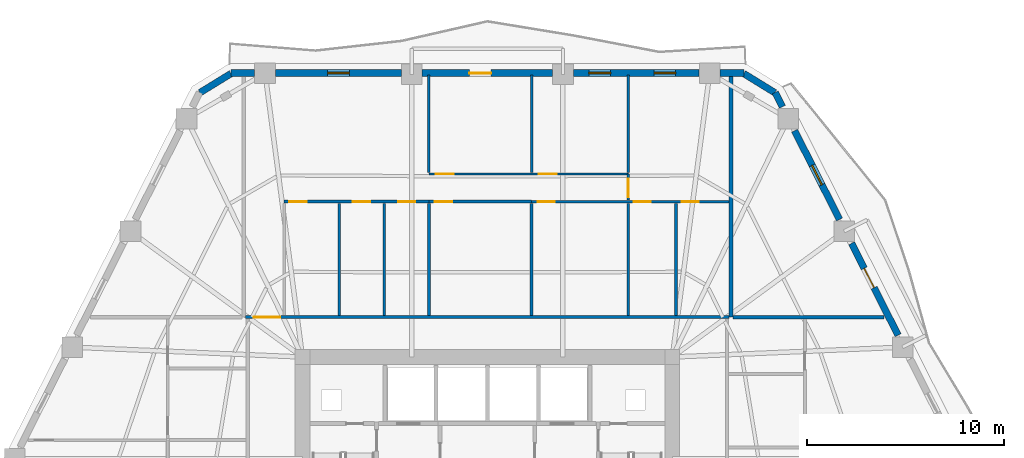
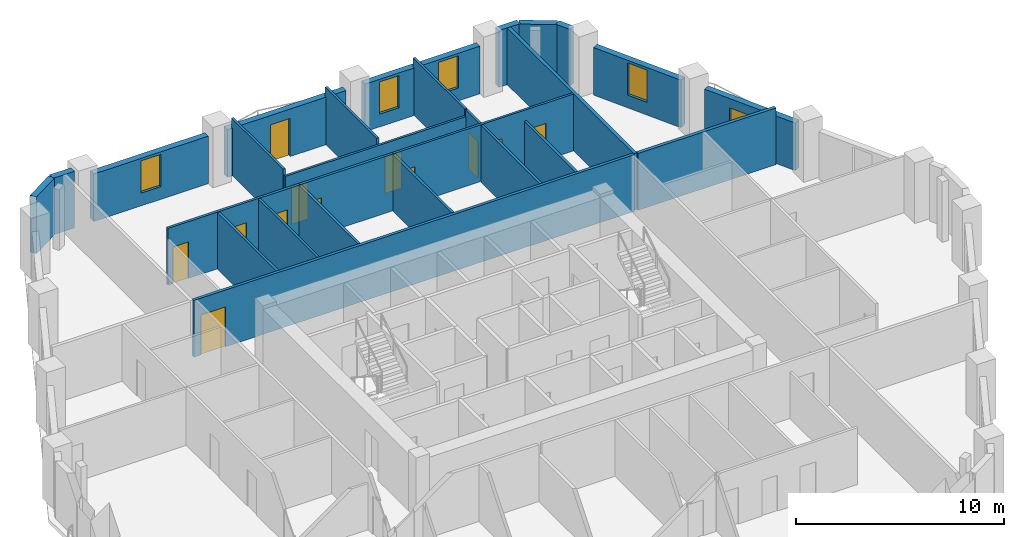
# One storey, part 7 of 11: 27 walls, 13 doors, 4 windows, 17 openings.
"""IFC4 building model written with IfcOpenShell, lengths in metres."""

from ifc_helpers import new_model, si_unit, direction, frame, frame_2d, origin, place, context, subcontext, project, spatial, rectangle, extrude, material, layer, layer_set, type_object, element, fill, save


model = new_model("IFC4")

# Units and contexts
model_context = context("Model", 3, precision=1e-05, world=origin(), true_north=direction((0.0, 1.0)))
body_context = subcontext(model_context, "Body", "Model", "MODEL_VIEW")
ifc_project = project(units=[si_unit("LENGTHUNIT", "METRE"), si_unit("AREAUNIT", "SQUARE_METRE"), si_unit("VOLUMEUNIT", "CUBIC_METRE"), si_unit("PLANEANGLEUNIT", "RADIAN"), si_unit("MASSUNIT", "GRAM", prefix="KILO")], contexts=[model_context])

# Site, building, storey
site_placement = place(None, origin())
site = spatial("IfcSite", under=ifc_project, at=site_placement, CompositionType="ELEMENT")
building_placement = place(site_placement, origin())
building = spatial("IfcBuilding", under=site, at=building_placement, Name="Cinnabar Lancet Tower", CompositionType="ELEMENT")
storey_placement = place(building_placement, frame((0.0, 0.0, 130.35009765625)))
storey = spatial("IfcBuildingStorey", under=building, at=storey_placement, Name="L34", CompositionType="ELEMENT", Elevation=130.35009765625)

# Wall, opening, door
ifc_material_1 = material(Name="Acoustic twin-stud gypsum partition", Category="gypsum")
ifc_layer_1 = layer(ifc_material_1, 0.159912109375)
ifc_layer_set_1 = layer_set([ifc_layer_1], Name="Acoustic twin-stud gypsum partition")
wall_type_1 = type_object("IfcWallType", Name="ARC-WL-CORR-160", PredefinedType="PARTITIONING", material=ifc_layer_set_1)
wall_1_placement = place(storey_placement, frame((20.14501953125, 35.300048828125, 0.0), z_axis=(0.0, 0.0, 1.0), x_axis=(1.0, 0.0, 0.0)))
wall_1 = element("IfcWall", 1, at=wall_1_placement, inside=storey, type_object=wall_type_1, Name="L34 Unit N01 Corridor Wall", PredefinedType="PARTITIONING", context=body_context, shape_type="SweptSolid", body=[
    extrude(rectangle(XDim=24.510009765625, YDim=0.159912109375, at=frame_2d((12.2548828125, 0.0))), origin(), (0.0, 0.0, 1.0), 3.33984375),
])
opening_1_placement = place(wall_1_placement, frame((0.405029296875, 0.0, 0.0)))
opening_1 = element("IfcOpeningElement", 2, at=opening_1_placement, cuts=wall_1, Name="Opening UD-02", PredefinedType="OPENING", context=body_context, shape_type="SweptSolid", body=[
    extrude(rectangle(XDim=1.35009765625, YDim=2.35009765625, at=frame_2d((0.675048828125, 1.175048828125))), frame((0.0, 0.08984375, 0.0), z_axis=(0.0, -1.0, 0.0), x_axis=(1.0, 0.0, 0.0)), (0.0, 0.0, 1.0), 0.179931640625),
])
ifc_material_2 = material(Name="Double-leaf solid timber penthouse entrance door", Category="wood")
door_type_1 = type_object("IfcDoorType", Name="ARC-DR-UNIT-PH", OperationType="NOTDEFINED", PredefinedType="DOOR", material=ifc_material_2)
door_1_placement = place(opening_1_placement, origin())
door_1 = element("IfcDoor", 3, at=door_1_placement, inside=storey, type_object=door_type_1, Name="DR-L34-N01-ENT", OperationType="SINGLE_SWING_LEFT", OverallHeight=2.35009765625, OverallWidth=1.35009765625, PredefinedType="DOOR", context=body_context, shape_type="SweptSolid", body=[
    extrude(rectangle(XDim=1.35009765625, YDim=2.35009765625, at=frame_2d((0.675048828125, 1.175048828125))), frame((0.0, 0.02490234375, 0.0), z_axis=(0.0, -1.0, 0.0), x_axis=(1.0, 0.0, 0.0)), (0.0, 0.0, 1.0), 0.050048828125),
])
fill(opening_1, door_1)

# Walls
ifc_material_3 = material(Name="Fire-rated twin-frame acoustic drywall", Category="gypsum")
ifc_layer_2 = layer(ifc_material_3, 0.179931640625)
ifc_layer_set_2 = layer_set([ifc_layer_2], Name="Fire-rated twin-frame acoustic drywall")
wall_type_2 = type_object("IfcWallType", Name="ARC-WL-PARTY-180", PredefinedType="PARTITIONING", material=ifc_layer_set_2)
wall_2_placement = place(storey_placement, frame((44.75, 35.300048828125, 0.0), z_axis=(0.0, 0.0, 1.0), x_axis=(0.0, 1.0, 0.0)))
element("IfcWall", 4, at=wall_2_placement, inside=storey, type_object=wall_type_2, Name="PW-L34-NPTY-448", PredefinedType="PARTITIONING", context=body_context, shape_type="SweptSolid", body=[
    extrude(rectangle(XDim=12.195068359375, YDim=0.179931640625, at=frame_2d((6.09765625, 0.0))), origin(), (0.0, 0.0, 1.0), 3.33984375),
])
wall_3_placement = place(storey_placement, frame((44.844970703125, 35.300048828125, 0.0), z_axis=(0.0, 0.0, 1.0), x_axis=(1.0, 0.0, 0.0)))
element("IfcWall", 5, at=wall_3_placement, inside=storey, type_object=wall_type_2, Name="PW-L34-ENB", PredefinedType="PARTITIONING", context=body_context, shape_type="SweptSolid", body=[
    extrude(rectangle(XDim=7.6689453125, YDim=0.179931640625, at=frame_2d((3.83447265625, 0.0))), origin(), (0.0, 0.0, 1.0), 3.33984375),
])

# Wall, openings, doors
ifc_material_4 = material(Name="Gypsum plasterboard stud partition", Category="gypsum")
ifc_layer_3 = layer(ifc_material_4, 0.125)
ifc_layer_set_3 = layer_set([ifc_layer_3], Name="Gypsum plasterboard stud partition")
wall_type_3 = type_object("IfcWallType", Name="ARC-WL-UNIT-125", PredefinedType="PARTITIONING", material=ifc_layer_set_3)
wall_4_placement = place(storey_placement, frame((34.64306640625, 41.154052734375, 0.0), z_axis=(0.0, 0.0, 1.0), x_axis=(1.0, 0.0, 0.0)))
wall_4 = element("IfcWall", 6, at=wall_4_placement, inside=storey, type_object=wall_type_3, Name="UW-L34-N01-SP2", PredefinedType="PARTITIONING", context=body_context, shape_type="SweptSolid", body=[
    extrude(rectangle(XDim=10.011962890625, YDim=0.125, at=frame_2d((5.005859375, 0.0))), origin(), (0.0, 0.0, 1.0), 3.33984375),
])
opening_2_placement = place(wall_4_placement, frame((5.179931640625, 0.0, 0.0)))
opening_2 = element("IfcOpeningElement", 7, at=opening_2_placement, cuts=wall_4, Name="Opening BD-01", PredefinedType="OPENING", context=body_context, shape_type="SweptSolid", body=[
    extrude(rectangle(XDim=0.860107421875, YDim=2.10009765625, at=frame_2d((0.43017578125, 1.050048828125))), frame((0.0, 0.072509765625, 0.0), z_axis=(0.0, -1.0, 0.0), x_axis=(1.0, 0.0, 0.0)), (0.0, 0.0, 1.0), 0.14501953125),
])
opening_3_placement = place(wall_4_placement, frame((7.60400390625, 0.0, 0.0)))
opening_3 = element("IfcOpeningElement", 8, at=opening_3_placement, cuts=wall_4, Name="Opening RD-02", PredefinedType="OPENING", context=body_context, shape_type="SweptSolid", body=[
    extrude(rectangle(XDim=0.8798828125, YDim=2.14990234375, at=frame_2d((0.43994140625, 1.074951171875))), frame((0.0, 0.072509765625, 0.0), z_axis=(0.0, -1.0, 0.0), x_axis=(1.0, 0.0, 0.0)), (0.0, 0.0, 1.0), 0.14501953125),
])
opening_4_placement = place(wall_4_placement, frame((0.300048828125, 0.0, 0.0)))
opening_4 = element("IfcOpeningElement", 9, at=opening_4_placement, cuts=wall_4, Name="Opening RD-02", PredefinedType="OPENING", context=body_context, shape_type="SweptSolid", body=[
    extrude(rectangle(XDim=0.8798828125, YDim=2.14990234375, at=frame_2d((0.43994140625, 1.074951171875))), frame((0.0, 0.072509765625, 0.0), z_axis=(0.0, -1.0, 0.0), x_axis=(1.0, 0.0, 0.0)), (0.0, 0.0, 1.0), 0.14501953125),
])
ifc_material_5 = material(Name="Moisture-resistant timber bathroom door", Category="wood")
door_type_2 = type_object("IfcDoorType", Name="ARC-DR-BATH", OperationType="NOTDEFINED", PredefinedType="DOOR", material=ifc_material_5)
door_2_placement = place(opening_2_placement, origin())
door_2 = element("IfcDoor", 10, at=door_2_placement, inside=storey, type_object=door_type_2, Name="DR-L34-N01-ENS", OperationType="SINGLE_SWING_RIGHT", OverallHeight=2.10009765625, OverallWidth=0.860107421875, PredefinedType="DOOR", context=body_context, shape_type="SweptSolid", body=[
    extrude(rectangle(XDim=0.860107421875, YDim=2.10009765625, at=frame_2d((0.43017578125, 1.050048828125))), frame((0.0, 0.02490234375, 0.0), z_axis=(0.0, -1.0, 0.0), x_axis=(1.0, 0.0, 0.0)), (0.0, 0.0, 1.0), 0.050048828125),
])
fill(opening_2, door_2)
ifc_material_6 = material(Name="Engineered timber study door", Category="wood")
door_type_3 = type_object("IfcDoorType", Name="ARC-DR-STUDY", OperationType="NOTDEFINED", PredefinedType="DOOR", material=ifc_material_6)
door_3_placement = place(opening_3_placement, origin())
door_3 = element("IfcDoor", 11, at=door_3_placement, inside=storey, type_object=door_type_3, Name="DR-L34-N01-ENS-WDR", OperationType="SINGLE_SWING_LEFT", OverallHeight=2.14990234375, OverallWidth=0.8798828125, PredefinedType="DOOR", context=body_context, shape_type="SweptSolid", body=[
    extrude(rectangle(XDim=0.8798828125, YDim=2.14990234375, at=frame_2d((0.43994140625, 1.074951171875))), frame((0.0, 0.02490234375, 0.0), z_axis=(0.0, -1.0, 0.0), x_axis=(1.0, 0.0, 0.0)), (0.0, 0.0, 1.0), 0.050048828125),
])
fill(opening_3, door_3)
door_4_placement = place(opening_4_placement, origin())
door_4 = element("IfcDoor", 12, at=door_4_placement, inside=storey, type_object=door_type_3, Name="DR-L34-N01-DRS", OperationType="SINGLE_SWING_LEFT", OverallHeight=2.14990234375, OverallWidth=0.8798828125, PredefinedType="DOOR", context=body_context, shape_type="SweptSolid", body=[
    extrude(rectangle(XDim=0.8798828125, YDim=2.14990234375, at=frame_2d((0.43994140625, 1.074951171875))), frame((0.0, 0.02490234375, 0.0), z_axis=(0.0, -1.0, 0.0), x_axis=(1.0, 0.0, 0.0)), (0.0, 0.0, 1.0), 0.050048828125),
])
fill(opening_4, door_4)

# Walls
wall_5_placement = place(storey_placement, frame((27.162109375, 35.385009765625, 0.0), z_axis=(0.0, 0.0, 1.0), x_axis=(0.0, 1.0, 0.0)))
element("IfcWall", 13, at=wall_5_placement, inside=storey, type_object=wall_type_3, Name="UW-L34-N01-STD", PredefinedType="PARTITIONING", context=body_context, shape_type="SweptSolid", body=[
    extrude(rectangle(XDim=5.6640625, YDim=0.125, at=frame_2d((2.83203125, 0.0))), origin(), (0.0, 0.0, 1.0), 3.33984375),
])
wall_6_placement = place(storey_placement, frame((29.43603515625, 42.618896484375, 0.0), z_axis=(0.0, 0.0, 1.0), x_axis=(0.0, 1.0, 0.0)))
element("IfcWall", 14, at=wall_6_placement, inside=storey, type_object=wall_type_3, Name="UW-L34-N01-BD2W", PredefinedType="PARTITIONING", context=body_context, shape_type="SweptSolid", body=[
    extrude(rectangle(XDim=4.966064453125, YDim=0.125, at=frame_2d((2.48291015625, 0.0))), origin(), (0.0, 0.0, 1.0), 3.33984375),
])

# Wall, openings, doors
wall_7_placement = place(storey_placement, frame((29.43603515625, 42.553955078125, 0.0), z_axis=(0.0, 0.0, 1.0), x_axis=(1.0, 0.0, 0.0)))
wall_7 = element("IfcWall", 15, at=wall_7_placement, inside=storey, type_object=wall_type_3, Name="UW-L34-N01-HLN", PredefinedType="PARTITIONING", context=body_context, shape_type="SweptSolid", body=[
    extrude(rectangle(XDim=10.10693359375, YDim=0.125, at=frame_2d((5.053466796875, 0.0))), origin(), (0.0, 0.0, 1.0), 2.974853515625),
])
opening_5_placement = place(wall_7_placement, frame((0.35009765625, 0.0, 0.0)))
opening_5 = element("IfcOpeningElement", 16, at=opening_5_placement, cuts=wall_7, Name="Opening RD-01", PredefinedType="OPENING", context=body_context, shape_type="SweptSolid", body=[
    extrude(rectangle(XDim=0.919921875, YDim=2.14990234375, at=frame_2d((0.4599609375, 1.074951171875))), frame((0.0, 0.072509765625, 0.0), z_axis=(0.0, -1.0, 0.0), x_axis=(1.0, 0.0, 0.0)), (0.0, 0.0, 1.0), 0.14501953125),
])
opening_6_placement = place(wall_7_placement, frame((5.556884765625, 0.0, 0.0)))
opening_6 = element("IfcOpeningElement", 17, at=opening_6_placement, cuts=wall_7, Name="Opening RD-01", PredefinedType="OPENING", context=body_context, shape_type="SweptSolid", body=[
    extrude(rectangle(XDim=0.919921875, YDim=2.14990234375, at=frame_2d((0.4599609375, 1.074951171875))), frame((0.0, 0.072509765625, 0.0), z_axis=(0.0, -1.0, 0.0), x_axis=(1.0, 0.0, 0.0)), (0.0, 0.0, 1.0), 0.14501953125),
])
ifc_material_7 = material(Name="Engineered timber bedroom door", Category="wood")
door_type_4 = type_object("IfcDoorType", Name="ARC-DR-ROOM", OperationType="NOTDEFINED", PredefinedType="DOOR", material=ifc_material_7)
door_5_placement = place(opening_5_placement, origin())
door_5 = element("IfcDoor", 18, at=door_5_placement, inside=storey, type_object=door_type_4, Name="DR-L34-N01-BD2", OperationType="SINGLE_SWING_RIGHT", OverallHeight=2.14990234375, OverallWidth=0.919921875, PredefinedType="DOOR", context=body_context, shape_type="SweptSolid", body=[
    extrude(rectangle(XDim=0.919921875, YDim=2.14990234375, at=frame_2d((0.4599609375, 1.074951171875))), frame((0.0, 0.02490234375, 0.0), z_axis=(0.0, -1.0, 0.0), x_axis=(1.0, 0.0, 0.0)), (0.0, 0.0, 1.0), 0.050048828125),
])
fill(opening_5, door_5)
door_6_placement = place(opening_6_placement, origin())
door_6 = element("IfcDoor", 19, at=door_6_placement, inside=storey, type_object=door_type_4, Name="DR-L34-N01-BD3", OperationType="SINGLE_SWING_LEFT", OverallHeight=2.14990234375, OverallWidth=0.919921875, PredefinedType="DOOR", context=body_context, shape_type="SweptSolid", body=[
    extrude(rectangle(XDim=0.919921875, YDim=2.14990234375, at=frame_2d((0.4599609375, 1.074951171875))), frame((0.0, 0.02490234375, 0.0), z_axis=(0.0, -1.0, 0.0), x_axis=(1.0, 0.0, 0.0)), (0.0, 0.0, 1.0), 0.050048828125),
])
fill(opening_6, door_6)

# Wall, opening, door
wall_8_placement = place(storey_placement, frame((39.54296875, 41.22412109375, 0.0), z_axis=(0.0, 0.0, 1.0), x_axis=(0.0, 1.0, 0.0)))
wall_8 = element("IfcWall", 20, at=wall_8_placement, inside=storey, type_object=wall_type_3, Name="UW-L34-N01-MBE", PredefinedType="PARTITIONING", context=body_context, shape_type="SweptSolid", body=[
    extrude(rectangle(XDim=1.329833984375, YDim=0.125, at=frame_2d((0.6650390625, 0.0))), origin(), (0.0, 0.0, 1.0), 3.33984375),
])
opening_7_placement = place(wall_8_placement, frame((0.159912109375, 0.0, 0.0)))
opening_7 = element("IfcOpeningElement", 21, at=opening_7_placement, cuts=wall_8, Name="Opening RD-01", PredefinedType="OPENING", context=body_context, shape_type="SweptSolid", body=[
    extrude(rectangle(XDim=0.919921875, YDim=2.14990234375, at=frame_2d((0.4599609375, 1.074951171875))), frame((0.0, 0.072509765625, 0.0), z_axis=(0.0, -1.0, 0.0), x_axis=(1.0, 0.0, 0.0)), (0.0, 0.0, 1.0), 0.14501953125),
])
door_7_placement = place(opening_7_placement, origin())
door_7 = element("IfcDoor", 22, at=door_7_placement, inside=storey, type_object=door_type_4, Name="DR-L34-N01-MBD", OperationType="SINGLE_SWING_RIGHT", OverallHeight=2.14990234375, OverallWidth=0.919921875, PredefinedType="DOOR", context=body_context, shape_type="SweptSolid", body=[
    extrude(rectangle(XDim=0.919921875, YDim=2.14990234375, at=frame_2d((0.4599609375, 1.074951171875))), frame((0.0, 0.02490234375, 0.0), z_axis=(0.0, -1.0, 0.0), x_axis=(1.0, 0.0, 0.0)), (0.0, 0.0, 1.0), 0.050048828125),
])
fill(opening_7, door_7)

# Walls
for number, where, z_axis, x_axis, name in (
    (23, (34.64306640625, 42.618896484375, 0.0), (0.0, 0.0, 1.0), (0.0, 1.0, 0.0), "UW-L34-N01-MB2W"),
    (24, (39.54296875, 42.618896484375, 0.0), (0.0, 0.0, 1.0), (0.0, 1.0, 0.0), "UW-L34-N01-B23W"),
):
    element("IfcWall", number, at=place(storey_placement, frame(where, z_axis=z_axis, x_axis=x_axis)), inside=storey, type_object=wall_type_3, Name=name, PredefinedType="PARTITIONING", context=body_context, shape_type="SweptSolid", body=[
        extrude(rectangle(XDim=4.966064453125, YDim=0.125, at=frame_2d((2.48291015625, 0.0))), origin(), (0.0, 0.0, 1.0), 3.33984375),
    ])

# Wall, openings, doors
ifc_material_8 = material(Name="Moisture-resistant cement-board plumbing wall", Category="masonry")
ifc_layer_4 = layer(ifc_material_8, 0.139892578125)
ifc_layer_set_4 = layer_set([ifc_layer_4], Name="Moisture-resistant cement-board plumbing wall")
wall_type_4 = type_object("IfcWallType", Name="ARC-WL-WET-140", PredefinedType="PLUMBINGWALL", material=ifc_layer_set_4)
wall_9_placement = place(storey_placement, frame((22.10009765625, 41.154052734375, 0.0), z_axis=(0.0, 0.0, 1.0), x_axis=(1.0, 0.0, 0.0)))
wall_9 = element("IfcWall", 25, at=wall_9_placement, inside=storey, type_object=wall_type_4, Name="UW-L34-N01-SPL", PredefinedType="PLUMBINGWALL", context=body_context, shape_type="SweptSolid", body=[
    extrude(rectangle(XDim=7.3359375, YDim=0.139892578125, at=frame_2d((3.66796875, 0.0))), origin(), (0.0, 0.0, 1.0), 3.33984375),
])
opening_8_placement = place(wall_9_placement, frame((5.77392578125, 0.0, 0.0)))
opening_8 = element("IfcOpeningElement", 26, at=opening_8_placement, cuts=wall_9, Name="Opening BD-01", PredefinedType="OPENING", context=body_context, shape_type="SweptSolid", body=[
    extrude(rectangle(XDim=0.860107421875, YDim=2.10009765625, at=frame_2d((0.43017578125, 1.050048828125))), frame((0.0, 0.079833984375, 0.0), z_axis=(0.0, -1.0, 0.0), x_axis=(1.0, 0.0, 0.0)), (0.0, 0.0, 1.0), 0.159912109375),
])
opening_9_placement = place(wall_9_placement, frame((0.260009765625, 0.0, 0.0)))
opening_9 = element("IfcOpeningElement", 27, at=opening_9_placement, cuts=wall_9, Name="Opening RD-02", PredefinedType="OPENING", context=body_context, shape_type="SweptSolid", body=[
    extrude(rectangle(XDim=0.8798828125, YDim=2.14990234375, at=frame_2d((0.43994140625, 1.074951171875))), frame((0.0, 0.079833984375, 0.0), z_axis=(0.0, -1.0, 0.0), x_axis=(1.0, 0.0, 0.0)), (0.0, 0.0, 1.0), 0.159912109375),
])
opening_10_placement = place(wall_9_placement, frame((3.485107421875, 0.0, 0.0)))
opening_10 = element("IfcOpeningElement", 28, at=opening_10_placement, cuts=wall_9, Name="Opening RD-02", PredefinedType="OPENING", context=body_context, shape_type="SweptSolid", body=[
    extrude(rectangle(XDim=0.8798828125, YDim=2.14990234375, at=frame_2d((0.43994140625, 1.074951171875))), frame((0.0, 0.079833984375, 0.0), z_axis=(0.0, -1.0, 0.0), x_axis=(1.0, 0.0, 0.0)), (0.0, 0.0, 1.0), 0.159912109375),
])
door_8_placement = place(opening_8_placement, origin())
door_8 = element("IfcDoor", 29, at=door_8_placement, inside=storey, type_object=door_type_2, Name="DR-L34-N01-BTH", OperationType="SINGLE_SWING_RIGHT", OverallHeight=2.10009765625, OverallWidth=0.860107421875, PredefinedType="DOOR", context=body_context, shape_type="SweptSolid", body=[
    extrude(rectangle(XDim=0.860107421875, YDim=2.10009765625, at=frame_2d((0.43017578125, 1.050048828125))), frame((0.0, 0.02490234375, 0.0), z_axis=(0.0, -1.0, 0.0), x_axis=(1.0, 0.0, 0.0)), (0.0, 0.0, 1.0), 0.050048828125),
])
fill(opening_8, door_8)
door_9_placement = place(opening_9_placement, origin())
door_9 = element("IfcDoor", 30, at=door_9_placement, inside=storey, type_object=door_type_3, Name="DR-L34-N01-KIT", OperationType="SINGLE_SWING_RIGHT", OverallHeight=2.14990234375, OverallWidth=0.8798828125, PredefinedType="DOOR", context=body_context, shape_type="SweptSolid", body=[
    extrude(rectangle(XDim=0.8798828125, YDim=2.14990234375, at=frame_2d((0.43994140625, 1.074951171875))), frame((0.0, 0.02490234375, 0.0), z_axis=(0.0, -1.0, 0.0), x_axis=(1.0, 0.0, 0.0)), (0.0, 0.0, 1.0), 0.050048828125),
])
fill(opening_9, door_9)
door_10_placement = place(opening_10_placement, origin())
door_10 = element("IfcDoor", 31, at=door_10_placement, inside=storey, type_object=door_type_3, Name="DR-L34-N01-STD", OperationType="SINGLE_SWING_LEFT", OverallHeight=2.14990234375, OverallWidth=0.8798828125, PredefinedType="DOOR", context=body_context, shape_type="SweptSolid", body=[
    extrude(rectangle(XDim=0.8798828125, YDim=2.14990234375, at=frame_2d((0.43994140625, 1.074951171875))), frame((0.0, 0.02490234375, 0.0), z_axis=(0.0, -1.0, 0.0), x_axis=(1.0, 0.0, 0.0)), (0.0, 0.0, 1.0), 0.050048828125),
])
fill(opening_10, door_10)

# Wall, opening, door
wall_10_placement = place(storey_placement, frame((29.43603515625, 41.154052734375, 0.0), z_axis=(0.0, 0.0, 1.0), x_axis=(1.0, 0.0, 0.0)))
wall_10 = element("IfcWall", 32, at=wall_10_placement, inside=storey, type_object=wall_type_4, Name="UW-L34-N01-SPM", PredefinedType="PLUMBINGWALL", context=body_context, shape_type="SweptSolid", body=[
    extrude(rectangle(XDim=5.20703125, YDim=0.139892578125, at=frame_2d((2.603515625, 0.0))), origin(), (0.0, 0.0, 1.0), 3.33984375),
])
opening_11_placement = place(wall_10_placement, frame((0.300048828125, 0.0, 0.0)))
opening_11 = element("IfcOpeningElement", 33, at=opening_11_placement, cuts=wall_10, Name="Opening RD-02", PredefinedType="OPENING", context=body_context, shape_type="SweptSolid", body=[
    extrude(rectangle(XDim=0.8798828125, YDim=2.14990234375, at=frame_2d((0.43994140625, 1.074951171875))), frame((0.0, 0.079833984375, 0.0), z_axis=(0.0, -1.0, 0.0), x_axis=(1.0, 0.0, 0.0)), (0.0, 0.0, 1.0), 0.159912109375),
])
door_11_placement = place(opening_11_placement, origin())
door_11 = element("IfcDoor", 34, at=door_11_placement, inside=storey, type_object=door_type_3, Name="DR-L34-N01-UTL", OperationType="SINGLE_SWING_LEFT", OverallHeight=2.14990234375, OverallWidth=0.8798828125, PredefinedType="DOOR", context=body_context, shape_type="SweptSolid", body=[
    extrude(rectangle(XDim=0.8798828125, YDim=2.14990234375, at=frame_2d((0.43994140625, 1.074951171875))), frame((0.0, 0.02490234375, 0.0), z_axis=(0.0, -1.0, 0.0), x_axis=(1.0, 0.0, 0.0)), (0.0, 0.0, 1.0), 0.050048828125),
])
fill(opening_11, door_11)

# Walls
for number, where, z_axis, x_axis, name in (
    (35, (24.887939453125, 35.385009765625, 0.0), (0.0, 0.0, 1.0), (0.0, 1.0, 0.0), "UW-L34-N01-KDV"),
    (36, (29.43603515625, 35.385009765625, 0.0), (0.0, 0.0, 1.0), (0.0, 1.0, 0.0), "UW-L34-N01-ENSW"),
    (37, (34.64306640625, 35.385009765625, 0.0), (0.0, 0.0, 1.0), (0.0, 1.0, 0.0), "UW-L34-N01-ENSE"),
    (38, (39.54296875, 35.385009765625, 0.0), (0.0, 0.0, 1.0), (0.0, 1.0, 0.0), "UW-L34-N01-UT3"),
):
    element("IfcWall", number, at=place(storey_placement, frame(where, z_axis=z_axis, x_axis=x_axis)), inside=storey, type_object=wall_type_4, Name=name, PredefinedType="PLUMBINGWALL", context=body_context, shape_type="SweptSolid", body=[
        extrude(rectangle(XDim=5.6640625, YDim=0.139892578125, at=frame_2d((2.83203125, 0.0))), origin(), (0.0, 0.0, 1.0), 3.33984375),
    ])
wall_11_placement = place(storey_placement, frame((41.967041015625, 35.385009765625, 0.0), z_axis=(0.0, 0.0, 1.0), x_axis=(0.0, 1.0, 0.0)))
element("IfcWall", 39, at=wall_11_placement, inside=storey, type_object=wall_type_4, Name="UW-L34-N01-ENS-WDV", PredefinedType="PLUMBINGWALL", context=body_context, shape_type="SweptSolid", body=[
    extrude(rectangle(XDim=5.68408203125, YDim=0.139892578125, at=frame_2d((2.842041015625, 0.0))), origin(), (0.0, 0.0, 1.0), 2.721923828125),
])
ifc_material_9 = material(Name="Cinnabar red clay brick", Category="masonry")
ifc_layer_5 = layer(ifc_material_9, 0.340087890625)
ifc_layer_set_5 = layer_set([ifc_layer_5], Name="Cinnabar red clay brick")
wall_type_5 = type_object("IfcWallType", Name="ENV-WL-BRK-RED-340", PredefinedType="STANDARD", material=ifc_layer_set_5)
for number, where, z_axis, x_axis, name in (
    (40, (46.970947265625, 46.677001953125, 0.0), (0.0, 0.0, 1.0), (-0.851798915137, 0.523868884523, 0.0), "L34 Chamfered Corner Brick Pier 4.1"),
    (41, (19.403076171875, 47.64501953125, 0.0), (0.0, 0.0, 1.0), (-0.851798915137, -0.523868884523, 0.0), "L34 Chamfered Corner Brick Pier 5.1"),
):
    element("IfcWall", number, at=place(storey_placement, frame(where, z_axis=z_axis, x_axis=x_axis)), inside=storey, type_object=wall_type_5, Name=name, PredefinedType="STANDARD", context=body_context, shape_type="SweptSolid", body=[
        extrude(rectangle(XDim=1.847900390625, YDim=0.340087890625, at=frame_2d((0.923828125, 0.0))), origin(), (0.0, 0.0, 1.0), 3.33984375),
    ])

# Wall, opening, door
wall_12_placement = place(storey_placement, frame((53.219970703125, 34.382080078125, 0.0), z_axis=(0.0, 0.0, 1.0), x_axis=(-0.451567731634, 0.892236842855, 0.0)))
wall_12 = element("IfcWall", 42, at=wall_12_placement, inside=storey, type_object=wall_type_5, Name="L34 Face 3 Masonry Bay Wall 3", PredefinedType="STANDARD", context=body_context, shape_type="SweptSolid", body=[
    extrude(rectangle(XDim=5.219482421875, YDim=0.340087890625, at=frame_2d((2.60986328125, 0.0))), origin(), (0.0, 0.0, 1.0), 2.796875),
])
opening_12_placement = place(wall_12_placement, frame((2.698974609375, 0.0, 0.0)))
opening_12 = element("IfcOpeningElement", 43, at=opening_12_placement, cuts=wall_12, Name="Opening TD-01", PredefinedType="OPENING", context=body_context, shape_type="SweptSolid", body=[
    extrude(rectangle(XDim=1.10009765625, YDim=2.25, at=frame_2d((0.550048828125, 1.125))), frame((0.0, 0.179931640625, 0.0), z_axis=(0.0, -1.0, 0.0), x_axis=(1.0, 0.0, 0.0)), (0.0, 0.0, 1.0), 0.360107421875),
])
ifc_material_10 = material(Name="Thermally broken low-E glazed balcony terrace door", Category="wood")
door_type_5 = type_object("IfcDoorType", Name="ARC-DR-BALC", OperationType="NOTDEFINED", PredefinedType="DOOR", material=ifc_material_10)
door_12_placement = place(opening_12_placement, origin())
door_12 = element("IfcDoor", 44, at=door_12_placement, inside=storey, type_object=door_type_5, Name="L34 Face 3 Glazed Terrace Door", OperationType="SINGLE_SWING_RIGHT", OverallHeight=2.25, OverallWidth=1.10009765625, PredefinedType="DOOR", context=body_context, shape_type="SweptSolid", body=[
    extrude(rectangle(XDim=1.10009765625, YDim=2.25, at=frame_2d((0.550048828125, 1.125))), frame((0.0, 0.02490234375, 0.0), z_axis=(0.0, -1.0, 0.0), x_axis=(1.0, 0.0, 0.0)), (0.0, 0.0, 1.0), 0.050048828125),
])
fill(opening_12, door_12)

# Wall, opening, window
wall_13_placement = place(storey_placement, frame((50.2509765625, 40.2509765625, 0.0), z_axis=(0.0, 0.0, 1.0), x_axis=(-0.451548465867, 0.892246593142, 0.0)))
wall_13 = element("IfcWall", 45, at=wall_13_placement, inside=storey, type_object=wall_type_5, Name="L34 Face 3 Masonry Bay Wall 4", PredefinedType="STANDARD", context=body_context, shape_type="SweptSolid", body=[
    extrude(rectangle(XDim=5.040283203125, YDim=0.340087890625, at=frame_2d((2.52001953125, 0.0))), origin(), (0.0, 0.0, 1.0), 2.796875),
])
opening_13_placement = place(wall_13_placement, frame((1.969970703125, 0.0, 0.75)))
opening_13 = element("IfcOpeningElement", 46, at=opening_13_placement, cuts=wall_13, Name="Opening WN-04", PredefinedType="OPENING", context=body_context, shape_type="SweptSolid", body=[
    extrude(rectangle(XDim=1.10009765625, YDim=1.89697265625, at=frame_2d((0.550048828125, 0.948486328125))), frame((0.0, 0.179931640625, 0.0), z_axis=(0.0, -1.0, 0.0), x_axis=(1.0, 0.0, 0.0)), (0.0, 0.0, 1.0), 0.360107421875),
])
ifc_material_11 = material(Name="Thermally broken bronze-anodized aluminium tall lancet window", Category="aluminium")
window_type = type_object("IfcWindowType", Name="ENV-WN-LANCET-1100", PartitioningType="SINGLE_PANEL", PredefinedType="WINDOW", material=ifc_material_11)
window_1_placement = place(opening_13_placement, origin())
window_1 = element("IfcWindow", 47, at=window_1_placement, inside=storey, type_object=window_type, Name="L34 Face 3 Gothic Lancet Window 4", OverallHeight=1.89697265625, OverallWidth=1.10009765625, PartitioningType="SINGLE_PANEL", PredefinedType="WINDOW", context=body_context, shape_type="SweptSolid", body=[
    extrude(rectangle(XDim=1.10009765625, YDim=1.89697265625, at=frame_2d((0.550048828125, 0.948486328125))), frame((0.0, 0.030029296875, 0.0), z_axis=(0.0, -1.0, 0.0), x_axis=(1.0, 0.0, 0.0)), (0.0, 0.0, 1.0), 0.06005859375),
])
fill(opening_13, window_1)

# Walls
wall_14_placement = place(storey_placement, frame((47.362060546875, 45.9599609375, 0.0), z_axis=(0.0, 0.0, 1.0), x_axis=(-0.45160540153, 0.89221777684, 0.0)))
element("IfcWall", 48, at=wall_14_placement, inside=storey, type_object=wall_type_5, Name="L34 Face 3 Masonry Bay Wall 5", PredefinedType="STANDARD", context=body_context, shape_type="SweptSolid", body=[
    extrude(rectangle(XDim=0.82177734375, YDim=0.340087890625, at=frame_2d((0.410888671875, 0.0))), origin(), (0.0, 0.0, 1.0), 3.33984375),
])
wall_15_placement = place(storey_placement, frame((45.402099609375, 47.669921875, 0.0), z_axis=(0.0, 0.0, 1.0), x_axis=(-1.0, 0.0, 0.0)))
element("IfcWall", 49, at=wall_15_placement, inside=storey, type_object=wall_type_5, Name="L34 Face 4 Masonry Bay Wall 1", PredefinedType="STANDARD", context=body_context, shape_type="SweptSolid", body=[
    extrude(rectangle(XDim=1.2041015625, YDim=0.340087890625, at=frame_2d((0.60205078125, 0.0))), origin(), (0.0, 0.0, 1.0), 3.33984375),
])

# Wall, openings, windows
wall_16_placement = place(storey_placement, frame((43.139892578125, 47.669921875, 0.0), z_axis=(0.0, 0.0, 1.0), x_axis=(-1.0, 0.0, 0.0)))
wall_16 = element("IfcWall", 50, at=wall_16_placement, inside=storey, type_object=wall_type_5, Name="L34 Face 4 Masonry Bay Wall 2", PredefinedType="STANDARD", context=body_context, shape_type="SweptSolid", body=[
    extrude(rectangle(XDim=6.37890625, YDim=0.340087890625, at=frame_2d((3.189453125, 0.0))), origin(), (0.0, 0.0, 1.0), 2.796875),
])
opening_14_placement = place(wall_16_placement, frame((1.19189453125, 0.0, 0.75)))
opening_14 = element("IfcOpeningElement", 51, at=opening_14_placement, cuts=wall_16, Name="Opening WN-04", PredefinedType="OPENING", context=body_context, shape_type="SweptSolid", body=[
    extrude(rectangle(XDim=1.10009765625, YDim=1.89697265625, at=frame_2d((0.550048828125, 0.948486328125))), frame((0.0, 0.179931640625, 0.0), z_axis=(0.0, -1.0, 0.0), x_axis=(1.0, 0.0, 0.0)), (0.0, 0.0, 1.0), 0.360107421875),
])
opening_15_placement = place(wall_16_placement, frame((4.493896484375, 0.0, 0.75)))
opening_15 = element("IfcOpeningElement", 52, at=opening_15_placement, cuts=wall_16, Name="Opening WN-04", PredefinedType="OPENING", context=body_context, shape_type="SweptSolid", body=[
    extrude(rectangle(XDim=1.10009765625, YDim=1.89697265625, at=frame_2d((0.550048828125, 0.948486328125))), frame((0.0, 0.179931640625, 0.0), z_axis=(0.0, -1.0, 0.0), x_axis=(1.0, 0.0, 0.0)), (0.0, 0.0, 1.0), 0.360107421875),
])
window_2_placement = place(opening_14_placement, origin())
window_2 = element("IfcWindow", 53, at=window_2_placement, inside=storey, type_object=window_type, Name="L34 Face 4 Gothic Lancet Window 2", OverallHeight=1.89697265625, OverallWidth=1.10009765625, PartitioningType="SINGLE_PANEL", PredefinedType="WINDOW", context=body_context, shape_type="SweptSolid", body=[
    extrude(rectangle(XDim=1.10009765625, YDim=1.89697265625, at=frame_2d((0.550048828125, 0.948486328125))), frame((0.0, 0.030029296875, 0.0), z_axis=(0.0, -1.0, 0.0), x_axis=(1.0, 0.0, 0.0)), (0.0, 0.0, 1.0), 0.06005859375),
])
fill(opening_14, window_2)
window_3_placement = place(opening_15_placement, origin())
window_3 = element("IfcWindow", 54, at=window_3_placement, inside=storey, type_object=window_type, Name="L34 Split-Bay Gothic Lancet Window 101", OverallHeight=1.89697265625, OverallWidth=1.10009765625, PartitioningType="SINGLE_PANEL", PredefinedType="WINDOW", context=body_context, shape_type="SweptSolid", body=[
    extrude(rectangle(XDim=1.10009765625, YDim=1.89697265625, at=frame_2d((0.550048828125, 0.948486328125))), frame((0.0, 0.030029296875, 0.0), z_axis=(0.0, -1.0, 0.0), x_axis=(1.0, 0.0, 0.0)), (0.0, 0.0, 1.0), 0.06005859375),
])
fill(opening_15, window_3)

# Wall, opening, door
wall_17_placement = place(storey_placement, frame((35.702880859375, 47.669921875, 0.0), z_axis=(0.0, 0.0, 1.0), x_axis=(-1.0, 0.0, 0.0)))
wall_17 = element("IfcWall", 55, at=wall_17_placement, inside=storey, type_object=wall_type_5, Name="L34 Face 4 Masonry Bay Wall 3", PredefinedType="STANDARD", context=body_context, shape_type="SweptSolid", body=[
    extrude(rectangle(XDim=6.60595703125, YDim=0.340087890625, at=frame_2d((3.302978515625, 0.0))), origin(), (0.0, 0.0, 1.0), 2.796875),
])
opening_16_placement = place(wall_17_placement, frame((3.114013671875, 0.0, 0.0)))
opening_16 = element("IfcOpeningElement", 56, at=opening_16_placement, cuts=wall_17, Name="Opening TD-01", PredefinedType="OPENING", context=body_context, shape_type="SweptSolid", body=[
    extrude(rectangle(XDim=1.10009765625, YDim=2.25, at=frame_2d((0.550048828125, 1.125))), frame((0.0, 0.179931640625, 0.0), z_axis=(0.0, -1.0, 0.0), x_axis=(1.0, 0.0, 0.0)), (0.0, 0.0, 1.0), 0.360107421875),
])
door_13_placement = place(opening_16_placement, origin())
door_13 = element("IfcDoor", 57, at=door_13_placement, inside=storey, type_object=door_type_5, Name="L34 Face 4 Glazed Terrace Door", OperationType="SINGLE_SWING_LEFT", OverallHeight=2.25, OverallWidth=1.10009765625, PredefinedType="DOOR", context=body_context, shape_type="SweptSolid", body=[
    extrude(rectangle(XDim=1.10009765625, YDim=2.25, at=frame_2d((0.550048828125, 1.125))), frame((0.0, 0.02490234375, 0.0), z_axis=(0.0, -1.0, 0.0), x_axis=(1.0, 0.0, 0.0)), (0.0, 0.0, 1.0), 0.050048828125),
])
fill(opening_16, door_13)

# Wall, opening, window
wall_18_placement = place(storey_placement, frame((28.0390625, 47.669921875, 0.0), z_axis=(0.0, 0.0, 1.0), x_axis=(-1.0, 0.0, 0.0)))
wall_18 = element("IfcWall", 58, at=wall_18_placement, inside=storey, type_object=wall_type_5, Name="L34 Face 4 Masonry Bay Wall 4", PredefinedType="STANDARD", context=body_context, shape_type="SweptSolid", body=[
    extrude(rectangle(XDim=6.379150390625, YDim=0.340087890625, at=frame_2d((3.189453125, 0.0))), origin(), (0.0, 0.0, 1.0), 2.796875),
])
opening_17_placement = place(wall_18_placement, frame((2.639892578125, 0.0, 0.75)))
opening_17 = element("IfcOpeningElement", 59, at=opening_17_placement, cuts=wall_18, Name="Opening WN-04", PredefinedType="OPENING", context=body_context, shape_type="SweptSolid", body=[
    extrude(rectangle(XDim=1.10009765625, YDim=1.89697265625, at=frame_2d((0.550048828125, 0.948486328125))), frame((0.0, 0.179931640625, 0.0), z_axis=(0.0, -1.0, 0.0), x_axis=(1.0, 0.0, 0.0)), (0.0, 0.0, 1.0), 0.360107421875),
])
window_4_placement = place(opening_17_placement, origin())
window_4 = element("IfcWindow", 60, at=window_4_placement, inside=storey, type_object=window_type, Name="L34 Face 4 Gothic Lancet Window 4", OverallHeight=1.89697265625, OverallWidth=1.10009765625, PartitioningType="SINGLE_PANEL", PredefinedType="WINDOW", context=body_context, shape_type="SweptSolid", body=[
    extrude(rectangle(XDim=1.10009765625, YDim=1.89697265625, at=frame_2d((0.550048828125, 0.948486328125))), frame((0.0, 0.030029296875, 0.0), z_axis=(0.0, -1.0, 0.0), x_axis=(1.0, 0.0, 0.0)), (0.0, 0.0, 1.0), 0.06005859375),
])
fill(opening_17, window_4)

# Wall
wall_19_placement = place(storey_placement, frame((20.60205078125, 47.669921875, 0.0), z_axis=(0.0, 0.0, 1.0), x_axis=(-1.0, 0.0, 0.0)))
element("IfcWall", 61, at=wall_19_placement, inside=storey, type_object=wall_type_5, Name="L34 Face 4 Masonry Bay Wall 5", PredefinedType="STANDARD", context=body_context, shape_type="SweptSolid", body=[
    extrude(rectangle(XDim=1.2041015625, YDim=0.340087890625, at=frame_2d((0.60205078125, 0.0))), origin(), (0.0, 0.0, 1.0), 3.33984375),
])

save(model, "model.ifc")
